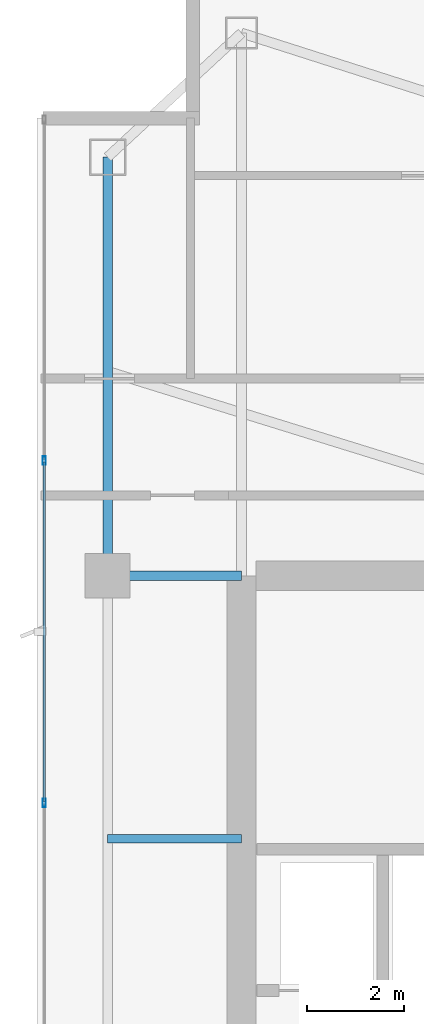
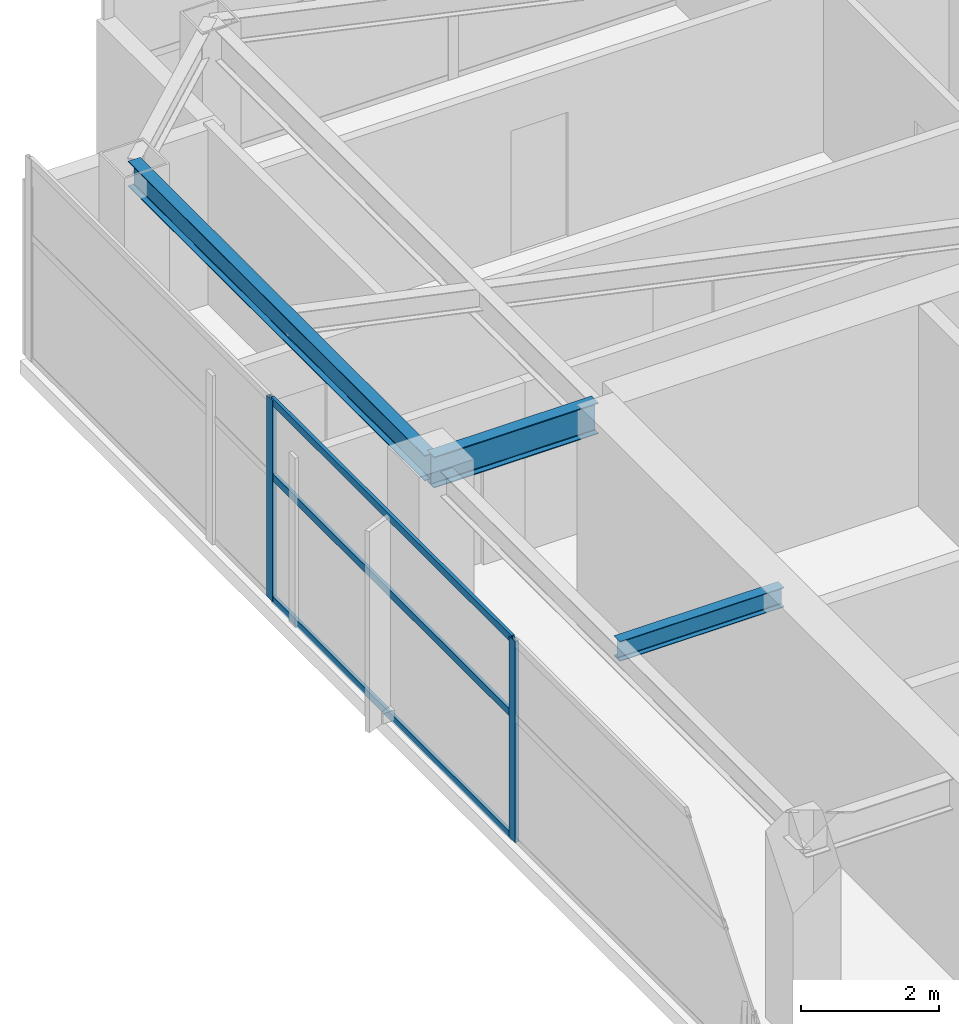
# One storey, part 16 of 27: 5 members, 3 beams, 1 element without a shape of its own.
"""IFC4 building model written with IfcOpenShell, lengths in metres."""

from ifc_helpers import new_model, si_unit, direction, frame, origin, origin_2d, place, context, subcontext, project, spatial, hollow_rectangle, i_section, extrude, material, layer, layer_set, material_profile, profile_set, type_object, element, aggregate, save


model = new_model("IFC4")

# Units and contexts
model_context = context("Model", 3, precision=1e-05, world=origin(), true_north=direction((0.0, 1.0)))
body_context = subcontext(model_context, "Body", "Model", "MODEL_VIEW")
ifc_project = project(units=[si_unit("LENGTHUNIT", "METRE"), si_unit("AREAUNIT", "SQUARE_METRE"), si_unit("VOLUMEUNIT", "CUBIC_METRE"), si_unit("PLANEANGLEUNIT", "RADIAN"), si_unit("MASSUNIT", "GRAM", prefix="KILO")], contexts=[model_context])

# Site, building, storey
site_placement = place(None, origin())
site = spatial("IfcSite", under=ifc_project, at=site_placement, CompositionType="ELEMENT")
building_placement = place(site_placement, origin())
building = spatial("IfcBuilding", under=site, at=building_placement, Name="Calvorn Quay Hotel", CompositionType="ELEMENT")
storey_placement = place(building_placement, frame((0.0, 0.0, 291.10009765625)))
storey = spatial("IfcBuildingStorey", under=building, at=storey_placement, Name="L72", CompositionType="ELEMENT", Elevation=291.10009765625)

# Beams
ifc_material_1 = material(Name="Steel Q355B", Category="steel")
ifc_material_profile_1 = material_profile(ifc_material_1, i_section(OverallWidth=0.199951171875, OverallDepth=0.550048828125, WebThickness=0.010009765625, FlangeThickness=0.01611328125, FilletRadius=0.01806640625, at=origin_2d()), Name="HN550x200x10x16")
ifc_profile_set_1 = profile_set([ifc_material_profile_1], Name="Steel Q355B")
beam_type_1 = type_object("IfcBeamType", Name="BM-GIRD-UPP", PredefinedType="BEAM", material=ifc_profile_set_1)
beam_1_placement = place(storey_placement, frame((1.449951171875, 38.39990234375, 3.264892578125), z_axis=(1.0, 0.0, 0.0), x_axis=(0.0, 1.0, 0.0)))
element("IfcBeam", 1, at=beam_1_placement, inside=storey, type_object=beam_type_1, Name="Beam BG-L72-W3", PredefinedType="BEAM", context=body_context, shape_type="SweptSolid", body=[
    extrude(i_section(OverallWidth=0.199951171875, OverallDepth=0.550048828125, WebThickness=0.010009765625, FlangeThickness=0.01611328125, FilletRadius=0.01806640625, at=origin_2d()), origin(), (0.0, 0.0, 1.0), 2.75),
])
ifc_material_2 = material(Name="Steel Q355B", Category="steel")
ifc_material_profile_2 = material_profile(ifc_material_2, i_section(OverallWidth=0.175048828125, OverallDepth=0.35009765625, WebThickness=0.007080078125, FlangeThickness=0.010986328125, FilletRadius=0.013916015625, at=origin_2d()), Name="HN350x175x7x11")
ifc_profile_set_2 = profile_set([ifc_material_profile_2], Name="Steel Q355B")
beam_type_2 = type_object("IfcBeamType", Name="BM-JOIST-SEC", PredefinedType="JOIST", material=ifc_profile_set_2)
beam_2_placement = place(storey_placement, frame((1.449951171875, 33.0, 3.364990234375), z_axis=(1.0, 0.0, 0.0), x_axis=(0.0, 1.0, 0.0)))
element("IfcBeam", 2, at=beam_2_placement, inside=storey, type_object=beam_type_2, Name="Beam BJ-L72-W4", PredefinedType="JOIST", context=body_context, shape_type="SweptSolid", body=[
    extrude(i_section(OverallWidth=0.175048828125, OverallDepth=0.35009765625, WebThickness=0.007080078125, FlangeThickness=0.010986328125, FilletRadius=0.013916015625, at=origin_2d()), origin(), (0.0, 0.0, 1.0), 2.75),
])
ifc_material_3 = material(Name="Steel Q355B", Category="steel")
ifc_material_profile_3 = material_profile(ifc_material_3, i_section(OverallWidth=0.199951171875, OverallDepth=0.449951171875, WebThickness=0.009033203125, FlangeThickness=0.013916015625, FilletRadius=0.01611328125, at=origin_2d()), Name="HN450x200x9x14")
ifc_profile_set_3 = profile_set([ifc_material_profile_3], Name="Steel Q355B")
beam_type_3 = type_object("IfcBeamType", Name="BM-SPANDREL-Z3", PredefinedType="SPANDREL", material=ifc_profile_set_3)
beam_3_placement = place(storey_placement, frame((1.449951171875, 38.39990234375, 3.31494140625), z_axis=(0.0, 1.0, 0.0), x_axis=(-1.0, 0.0, 0.0)))
element("IfcBeam", 3, at=beam_3_placement, inside=storey, type_object=beam_type_3, Name="Beam BSP-L72-W4", PredefinedType="SPANDREL", context=body_context, shape_type="SweptSolid", body=[
    extrude(i_section(OverallWidth=0.199951171875, OverallDepth=0.449951171875, WebThickness=0.009033203125, FlangeThickness=0.013916015625, FilletRadius=0.01611328125, at=origin_2d()), origin(), (0.0, 0.0, 1.0), 8.60009765625),
])

# Curtain wall, members
ifc_material_4 = material(Name="Champagne Bronze Anodised Aluminium and Low-E Glass", Category="aluminium")
ifc_layer = layer(ifc_material_4, 0.219970703125)
ifc_layer_set = layer_set([ifc_layer], Name="CW-SYS-Z4")
curtain_wall_type = type_object("IfcCurtainWallType", Name="CW-SYS-Z4", PredefinedType="NOTDEFINED", material=ifc_layer_set)
curtain_wall_placement = place(storey_placement, origin())
curtain_wall = element("IfcCurtainWall", 4, at=curtain_wall_placement, inside=storey, type_object=curtain_wall_type, Name="Tower West Curtain Wall (L72)", PredefinedType="NOTDEFINED")
ifc_material_5 = material(Name="Champagne Bronze Anodised Aluminium 6063-T6", Category="aluminium")
ifc_material_profile_4 = material_profile(ifc_material_5, hollow_rectangle(XDim=0.06494140625, YDim=0.169921875, WallThickness=0.00341796875, at=origin_2d()), Name="ALU-M170x65x3.5")
ifc_profile_set_4 = profile_set([ifc_material_profile_4], Name="Champagne Bronze Anodised Aluminium 6063-T6")
member_type_1 = type_object("IfcMemberType", Name="CW-SYS-Z4-MUL", PredefinedType="MULLION", material=ifc_profile_set_4)
member_1_placement = place(storey_placement, frame((0.14990234375, 33.7333984375, 0.0), z_axis=(0.0, 0.0, 1.0), x_axis=(-1.0, 0.0, 0.0)))
member_1 = element("IfcMember", 5, at=member_1_placement, type_object=member_type_1, Name="CW-L72-W mullion 5", PredefinedType="MULLION", context=body_context, shape_type="SweptSolid", body=[
    extrude(hollow_rectangle(XDim=0.06494140625, YDim=0.169921875, WallThickness=0.00341796875, at=origin_2d()), origin(), (0.0, 0.0, 1.0), 3.559814453125),
])
member_2_placement = place(storey_placement, frame((0.14990234375, 40.7666015625, 0.0), z_axis=(0.0, 0.0, 1.0), x_axis=(-1.0, 0.0, 0.0)))
member_2 = element("IfcMember", 6, at=member_2_placement, type_object=member_type_1, Name="CW-L72-W mullion 6", PredefinedType="MULLION", context=body_context, shape_type="SweptSolid", body=[
    extrude(hollow_rectangle(XDim=0.06494140625, YDim=0.169921875, WallThickness=0.00341796875, at=origin_2d()), origin(), (0.0, 0.0, 1.0), 3.559814453125),
])
ifc_material_6 = material(Name="Champagne Bronze Anodised Aluminium 6063-T6", Category="aluminium")
ifc_material_profile_5 = material_profile(ifc_material_6, hollow_rectangle(XDim=0.054931640625, YDim=0.1298828125, WallThickness=0.003173828125, at=origin_2d()), Name="ALU-T130x55x3.2")
ifc_profile_set_5 = profile_set([ifc_material_profile_5], Name="Champagne Bronze Anodised Aluminium 6063-T6")
member_type_2 = type_object("IfcMemberType", Name="CW-SYS-Z4-TRN", PredefinedType="USERDEFINED", material=ifc_profile_set_5)
member_3_placement = place(storey_placement, frame((0.14990234375, 33.763427734375, 0.02978515625), z_axis=(0.0, 1.0, 0.0), x_axis=(-1.0, 0.0, 0.0)))
member_3 = element("IfcMember", 7, at=member_3_placement, type_object=member_type_2, Name="CW-L72-W transom 5.1", ObjectType="TRANSOM", PredefinedType="USERDEFINED", context=body_context, shape_type="SweptSolid", body=[
    extrude(hollow_rectangle(XDim=0.054931640625, YDim=0.1298828125, WallThickness=0.003173828125, at=origin_2d()), origin(), (0.0, 0.0, 1.0), 6.97314453125),
])
member_4_placement = place(storey_placement, frame((0.14990234375, 33.763427734375, 2.199951171875), z_axis=(0.0, 1.0, 0.0), x_axis=(-1.0, 0.0, 0.0)))
member_4 = element("IfcMember", 8, at=member_4_placement, type_object=member_type_2, Name="CW-L72-W transom 5.2", ObjectType="TRANSOM", PredefinedType="USERDEFINED", context=body_context, shape_type="SweptSolid", body=[
    extrude(hollow_rectangle(XDim=0.054931640625, YDim=0.1298828125, WallThickness=0.003173828125, at=origin_2d()), origin(), (0.0, 0.0, 1.0), 6.97314453125),
])
member_5_placement = place(storey_placement, frame((0.14990234375, 33.763427734375, 3.52978515625), z_axis=(0.0, 1.0, 0.0), x_axis=(-1.0, 0.0, 0.0)))
member_5 = element("IfcMember", 9, at=member_5_placement, type_object=member_type_2, Name="CW-L72-W transom 5.3", ObjectType="TRANSOM", PredefinedType="USERDEFINED", context=body_context, shape_type="SweptSolid", body=[
    extrude(hollow_rectangle(XDim=0.054931640625, YDim=0.1298828125, WallThickness=0.003173828125, at=origin_2d()), origin(), (0.0, 0.0, 1.0), 6.97314453125),
])
aggregate(curtain_wall, [member_1, member_2, member_3, member_4, member_5])

save(model, "model.ifc")
